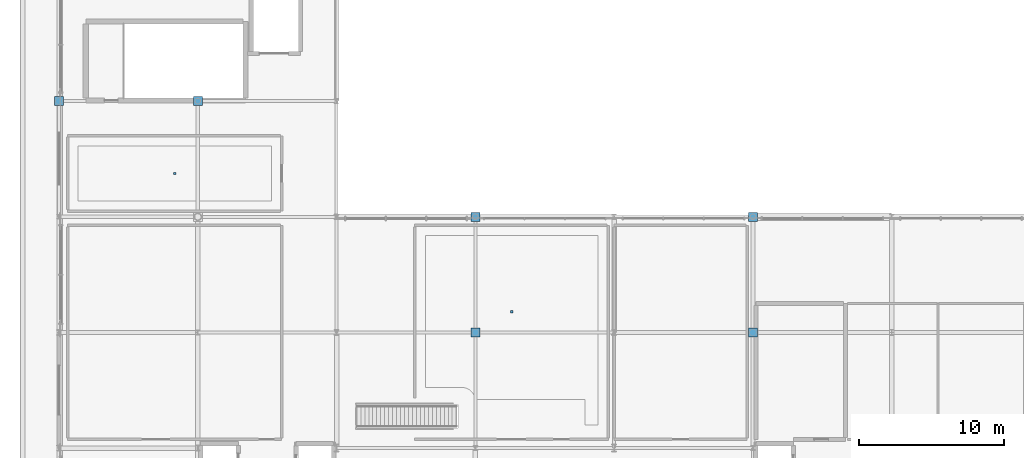
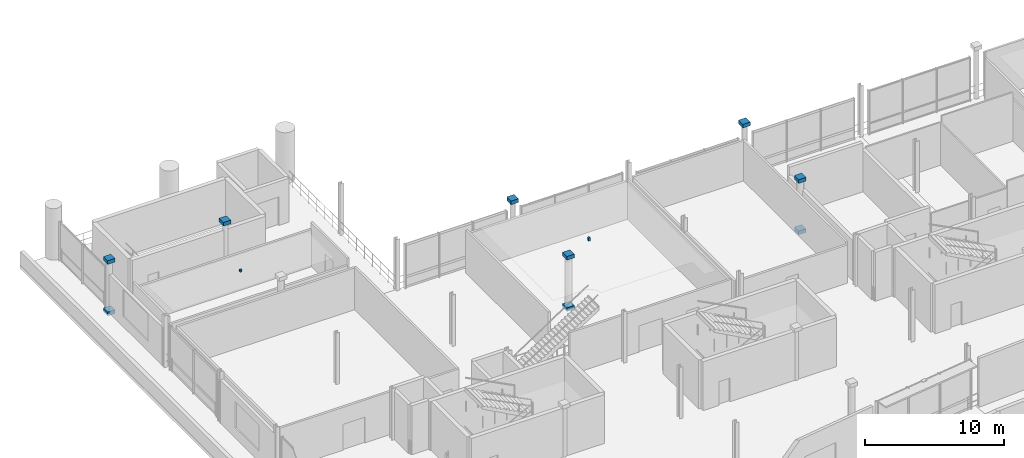
# One storey, part 43 of 59: 11 discrete accessories.
"""IFC4 building model written with IfcOpenShell, lengths in metres."""

from ifc_helpers import new_model, si_unit, direction, frame, origin, origin_2d, place, context, subcontext, project, spatial, rectangle, extrude, material, type_object, element, save


model = new_model("IFC4")

# Units and contexts
model_context = context("Model", 3, precision=1e-05, world=origin(), true_north=direction((0.0, 1.0)))
body_context = subcontext(model_context, "Body", "Model", "MODEL_VIEW")
ifc_project = project(units=[si_unit("LENGTHUNIT", "METRE"), si_unit("AREAUNIT", "SQUARE_METRE"), si_unit("VOLUMEUNIT", "CUBIC_METRE"), si_unit("PLANEANGLEUNIT", "RADIAN"), si_unit("MASSUNIT", "GRAM", prefix="KILO")], contexts=[model_context])

# Site, building, storey
site_placement = place(None, origin())
site = spatial("IfcSite", under=ifc_project, at=site_placement, CompositionType="ELEMENT")
building_placement = place(site_placement, origin())
building = spatial("IfcBuilding", under=site, at=building_placement, Name="Danafjord Basin Convention Centre", CompositionType="ELEMENT")
storey_placement = place(building_placement, frame((0.0, 0.0, 15.89990234375)))
storey = spatial("IfcBuildingStorey", under=building, at=storey_placement, Name="L03", CompositionType="ELEMENT", Elevation=15.89990234375)

# Discrete accessories
ifc_material_1 = material(Name="Stainless steel EN 1.4404", Category="steel")
discrete_accessory_type_1 = type_object("IfcDiscreteAccessoryType", Name="ACC-FIN-BRK", PredefinedType="BRACKET", material=ifc_material_1)
discrete_accessory_1_placement = place(storey_placement, frame((31.324951171875, 33.44189453125, 4.01025390625), z_axis=(0.0, 0.0, 1.0), x_axis=(1.0, 0.0, 0.0)))
element("IfcDiscreteAccessory", 1, at=discrete_accessory_1_placement, inside=storey, type_object=discrete_accessory_type_1, Name="Suspended ceiling steel hanger assembly", PredefinedType="BRACKET", context=body_context, shape_type="SweptSolid", body=[
    extrude(rectangle(XDim=0.159912109375, YDim=0.159912109375, at=origin_2d()), origin(), (0.0, 0.0, 1.0), 0.285888671875),
])
discrete_accessory_2_placement = place(storey_placement, frame((8.0, 43.0, 3.6552734375), z_axis=(0.0, 0.0, 1.0), x_axis=(1.0, 0.0, 0.0)))
element("IfcDiscreteAccessory", 2, at=discrete_accessory_2_placement, inside=storey, type_object=discrete_accessory_type_1, Name="Suspended ceiling steel hanger assembly", PredefinedType="BRACKET", context=body_context, shape_type="SweptSolid", body=[
    extrude(rectangle(XDim=0.159912109375, YDim=0.159912109375, at=origin_2d()), origin(), (0.0, 0.0, 1.0), 0.199951171875),
])
ifc_material_2 = material(Name="Steel S355", Category="steel")
discrete_accessory_type_2 = type_object("IfcDiscreteAccessoryType", Name="ACC-SF-HUB", PredefinedType="BRACKET", material=ifc_material_2)
for number, where, z_axis, x_axis, name in (
    (3, (0.0, 48.0, -0.16015625), (0.0, 0.0, 1.0), (1.0, 0.0, 0.0), "Tubular steel column transition collar"),
    (4, (0.0, 48.0, 4.33984375), (0.0, 0.0, 1.0), (1.0, 0.0, 0.0), "Tubular steel column top cap plate"),
    (5, (9.60009765625, 48.0, 4.33984375), (0.0, 0.0, 1.0), (1.0, 0.0, 0.0), "Tubular steel column top cap plate"),
    (6, (28.800048828125, 32.0, -0.16015625), (0.0, 0.0, 1.0), (1.0, 0.0, 0.0), "Tubular steel column transition collar"),
    (7, (28.800048828125, 32.0, 4.33984375), (0.0, 0.0, 1.0), (1.0, 0.0, 0.0), "Tubular steel column top cap plate"),
    (8, (28.800048828125, 40.0, 4.33984375), (0.0, 0.0, 1.0), (1.0, 0.0, 0.0), "Tubular steel column top cap plate"),
    (9, (48.0, 32.0, -0.16015625), (0.0, 0.0, 1.0), (1.0, 0.0, 0.0), "Tubular steel column transition collar"),
    (10, (48.0, 32.0, 4.33984375), (0.0, 0.0, 1.0), (1.0, 0.0, 0.0), "Tubular steel column top cap plate"),
    (11, (48.0, 40.0, 4.33984375), (0.0, 0.0, 1.0), (1.0, 0.0, 0.0), "Tubular steel column top cap plate"),
):
    element("IfcDiscreteAccessory", number, at=place(storey_placement, frame(where, z_axis=z_axis, x_axis=x_axis)), inside=storey, type_object=discrete_accessory_type_2, Name=name, PredefinedType="BRACKET", context=body_context, shape_type="SweptSolid", body=[
        extrude(rectangle(XDim=0.6201171875, YDim=0.6201171875, at=origin_2d()), origin(), (0.0, 0.0, 1.0), 0.320068359375),
    ])

save(model, "model.ifc")
